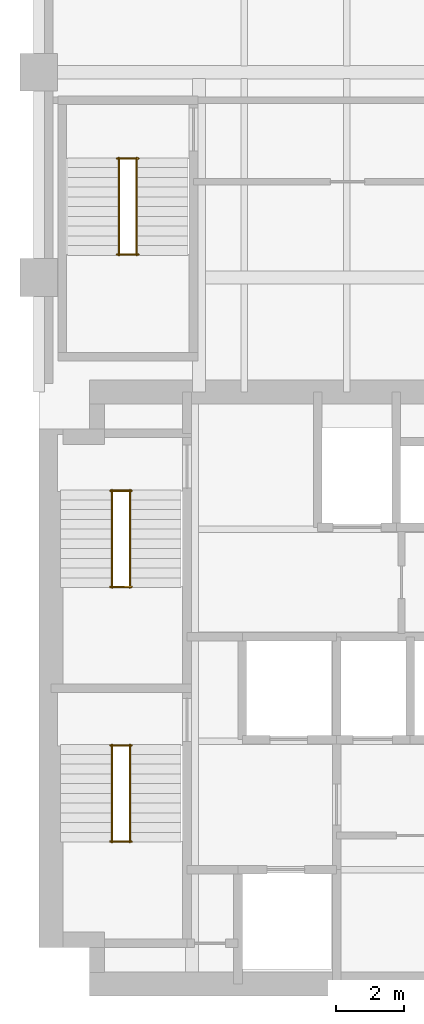
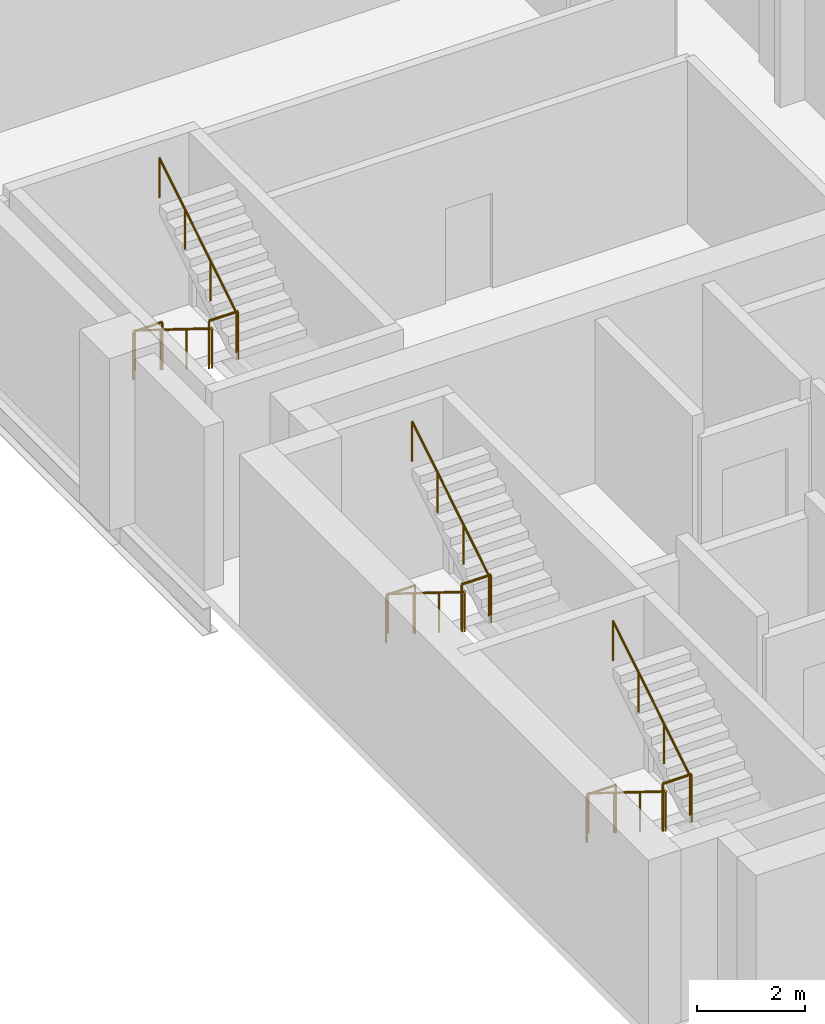
# One storey, part 7 of 7: 12 railings.
"""IFC4 building model written with IfcOpenShell, lengths in metres."""

from ifc_helpers import new_model, si_unit, direction, frame, origin, origin_2d, place, context, subcontext, project, spatial, circle, extrude, material, type_object, element, save


model = new_model("IFC4")

# Units and contexts
model_context = context("Model", 3, precision=1e-05, world=origin(), true_north=direction((0.0, 1.0)))
body_context = subcontext(model_context, "Body", "Model", "MODEL_VIEW")
ifc_project = project(units=[si_unit("LENGTHUNIT", "METRE"), si_unit("AREAUNIT", "SQUARE_METRE"), si_unit("VOLUMEUNIT", "CUBIC_METRE"), si_unit("PLANEANGLEUNIT", "RADIAN"), si_unit("MASSUNIT", "GRAM", prefix="KILO")], contexts=[model_context])

# Site, building, storey
site_placement = place(None, origin())
site = spatial("IfcSite", under=ifc_project, at=site_placement, CompositionType="ELEMENT")
building_placement = place(site_placement, origin())
building = spatial("IfcBuilding", under=site, at=building_placement, Name="Mawjdan Bourse Tower", CompositionType="ELEMENT")
storey_placement = place(building_placement, frame((0.0, 0.0, 112.800048828125)))
storey = spatial("IfcBuildingStorey", under=building, at=storey_placement, Name="L26", CompositionType="ELEMENT", Elevation=112.800048828125)

# Railings
ifc_material_1 = material(Name="Structural Steel S355", Category="steel")
railing_type_1 = type_object("IfcRailingType", Name="RLG-GRD-1100", PredefinedType="GUARDRAIL", material=ifc_material_1)
for number, where, name in (
    (1, (8.090087890625, 7.52001953125, 1.949951171875), "L26 ST1 Landing Guardrail GL-MID"),
    (2, (8.090087890625, 10.330078125, 0.0), "L26 ST1 Landing Guardrail GL-BOT"),
    (3, (8.090087890625, 14.9599609375, 1.949951171875), "L26 ST2 Landing Guardrail GL-MID"),
    (4, (8.090087890625, 17.77001953125, 0.0), "L26 ST2 Landing Guardrail GL-BOT"),
    (5, (8.2900390625, 24.669921875, 1.949951171875), "L26 ST3 Landing Guardrail GL-MID"),
    (6, (8.2900390625, 27.47998046875, 0.0), "L26 ST3 Landing Guardrail GL-BOT"),
):
    element("IfcRailing", number, at=place(storey_placement, frame(where)), inside=storey, type_object=railing_type_1, Name=name, PredefinedType="GUARDRAIL", context=body_context, shape_type="SweptSolid", body=[
        extrude(circle(Radius=0.02490234375, at=origin_2d()), frame((0.0, 0.0, 1.0751953125), z_axis=(1.0, 0.0, 0.0), x_axis=(0.0, 1.0, 0.0)), (0.0, 0.0, 1.0), 0.619873046875),
        extrude(circle(Radius=0.02099609375, at=origin_2d()), origin(), (0.0, 0.0, 1.0), 1.050048828125),
        extrude(circle(Radius=0.02099609375, at=origin_2d()), frame((0.619873046875, 0.0, 0.0)), (0.0, 0.0, 1.0), 1.050048828125),
    ])
ifc_material_2 = material(Name="Brushed Stainless Steel", Category="steel")
railing_type_2 = type_object("IfcRailingType", Name="RLG-HND-920", PredefinedType="HANDRAIL", material=ifc_material_2)
railing_1_placement = place(storey_placement, frame((8.139892578125, 10.35009765625, 0.17724609375)))
element("IfcRailing", 7, at=railing_1_placement, inside=storey, type_object=railing_type_2, Name="L26 ST1 Flight Handrail HR1", PredefinedType="HANDRAIL", context=body_context, shape_type="SweptSolid", body=[
    extrude(circle(Radius=0.0224609375, at=origin_2d()), frame((0.0, 0.0, 0.8974609375), z_axis=(0.0, -0.849148672731, 0.528153890072), x_axis=(1.0, 0.0, 0.0)), (0.0, 0.0, 1.0), 3.3564453125),
    extrude(circle(Radius=0.01904296875, at=origin_2d()), origin(), (0.0, 0.0, 1.0), 0.875),
    extrude(circle(Radius=0.01904296875, at=origin_2d()), frame((0.0, -0.949951171875, 0.5908203125)), (0.0, 0.0, 1.0), 0.875),
    extrude(circle(Radius=0.01904296875, at=origin_2d()), frame((0.0, -1.900146484375, 1.181884765625)), (0.0, 0.0, 1.0), 0.875),
    extrude(circle(Radius=0.01904296875, at=origin_2d()), frame((0.0, -2.85009765625, 1.772705078125)), (0.0, 0.0, 1.0), 0.875),
])
railing_2_placement = place(storey_placement, frame((8.659912109375, 7.5, 2.127197265625)))
element("IfcRailing", 8, at=railing_2_placement, inside=storey, type_object=railing_type_2, Name="L26 ST1 Flight Handrail HR2", PredefinedType="HANDRAIL", context=body_context, shape_type="SweptSolid", body=[
    extrude(circle(Radius=0.0224609375, at=origin_2d()), frame((0.0, 0.0, 0.8974609375), z_axis=(0.0, 0.849148672731, 0.528153890072), x_axis=(-1.0, 0.0, 0.0)), (0.0, 0.0, 1.0), 3.3564453125),
    extrude(circle(Radius=0.01904296875, at=origin_2d()), origin(), (0.0, 0.0, 1.0), 0.875),
    extrude(circle(Radius=0.01904296875, at=origin_2d()), frame((0.0, 0.949951171875, 0.5908203125)), (0.0, 0.0, 1.0), 0.875),
    extrude(circle(Radius=0.01904296875, at=origin_2d()), frame((0.0, 1.900146484375, 1.181884765625)), (0.0, 0.0, 1.0), 0.875),
    extrude(circle(Radius=0.01904296875, at=origin_2d()), frame((0.0, 2.85009765625, 1.772705078125)), (0.0, 0.0, 1.0), 0.875),
])
railing_3_placement = place(storey_placement, frame((8.139892578125, 17.7900390625, 0.17724609375)))
element("IfcRailing", 9, at=railing_3_placement, inside=storey, type_object=railing_type_2, Name="L26 ST2 Flight Handrail HR1", PredefinedType="HANDRAIL", context=body_context, shape_type="SweptSolid", body=[
    extrude(circle(Radius=0.0224609375, at=origin_2d()), frame((0.0, 0.0, 0.8974609375), z_axis=(0.0, -0.849148672731, 0.528153890072), x_axis=(1.0, 0.0, 0.0)), (0.0, 0.0, 1.0), 3.3564453125),
    extrude(circle(Radius=0.01904296875, at=origin_2d()), origin(), (0.0, 0.0, 1.0), 0.875),
    extrude(circle(Radius=0.01904296875, at=origin_2d()), frame((0.0, -0.949951171875, 0.5908203125)), (0.0, 0.0, 1.0), 0.875),
    extrude(circle(Radius=0.01904296875, at=origin_2d()), frame((0.0, -1.900146484375, 1.181884765625)), (0.0, 0.0, 1.0), 0.875),
    extrude(circle(Radius=0.01904296875, at=origin_2d()), frame((0.0, -2.85009765625, 1.772705078125)), (0.0, 0.0, 1.0), 0.875),
])
railing_4_placement = place(storey_placement, frame((8.659912109375, 14.93994140625, 2.127197265625)))
element("IfcRailing", 10, at=railing_4_placement, inside=storey, type_object=railing_type_2, Name="L26 ST2 Flight Handrail HR2", PredefinedType="HANDRAIL", context=body_context, shape_type="SweptSolid", body=[
    extrude(circle(Radius=0.0224609375, at=origin_2d()), frame((0.0, 0.0, 0.8974609375), z_axis=(0.0, 0.849148672731, 0.528153890072), x_axis=(-1.0, 0.0, 0.0)), (0.0, 0.0, 1.0), 3.3564453125),
    extrude(circle(Radius=0.01904296875, at=origin_2d()), origin(), (0.0, 0.0, 1.0), 0.875),
    extrude(circle(Radius=0.01904296875, at=origin_2d()), frame((0.0, 0.949951171875, 0.5908203125)), (0.0, 0.0, 1.0), 0.875),
    extrude(circle(Radius=0.01904296875, at=origin_2d()), frame((0.0, 1.900146484375, 1.181884765625)), (0.0, 0.0, 1.0), 0.875),
    extrude(circle(Radius=0.01904296875, at=origin_2d()), frame((0.0, 2.85009765625, 1.772705078125)), (0.0, 0.0, 1.0), 0.875),
])
railing_5_placement = place(storey_placement, frame((8.340087890625, 27.5, 0.17724609375)))
element("IfcRailing", 11, at=railing_5_placement, inside=storey, type_object=railing_type_2, Name="L26 ST3 Flight Handrail HR1", PredefinedType="HANDRAIL", context=body_context, shape_type="SweptSolid", body=[
    extrude(circle(Radius=0.0224609375, at=origin_2d()), frame((0.0, 0.0, 0.8974609375), z_axis=(0.0, -0.849148672731, 0.528153890072), x_axis=(1.0, 0.0, 0.0)), (0.0, 0.0, 1.0), 3.3564453125),
    extrude(circle(Radius=0.01904296875, at=origin_2d()), origin(), (0.0, 0.0, 1.0), 0.875),
    extrude(circle(Radius=0.01904296875, at=origin_2d()), frame((0.0, -0.949951171875, 0.5908203125)), (0.0, 0.0, 1.0), 0.875),
    extrude(circle(Radius=0.01904296875, at=origin_2d()), frame((0.0, -1.900146484375, 1.181884765625)), (0.0, 0.0, 1.0), 0.875),
    extrude(circle(Radius=0.01904296875, at=origin_2d()), frame((0.0, -2.85009765625, 1.772705078125)), (0.0, 0.0, 1.0), 0.875),
])
railing_6_placement = place(storey_placement, frame((8.860107421875, 24.64990234375, 2.127197265625)))
element("IfcRailing", 12, at=railing_6_placement, inside=storey, type_object=railing_type_2, Name="L26 ST3 Flight Handrail HR2", PredefinedType="HANDRAIL", context=body_context, shape_type="SweptSolid", body=[
    extrude(circle(Radius=0.0224609375, at=origin_2d()), frame((0.0, 0.0, 0.8974609375), z_axis=(0.0, 0.849148672731, 0.528153890072), x_axis=(-1.0, 0.0, 0.0)), (0.0, 0.0, 1.0), 3.3564453125),
    extrude(circle(Radius=0.01904296875, at=origin_2d()), origin(), (0.0, 0.0, 1.0), 0.875),
    extrude(circle(Radius=0.01904296875, at=origin_2d()), frame((0.0, 0.949951171875, 0.5908203125)), (0.0, 0.0, 1.0), 0.875),
    extrude(circle(Radius=0.01904296875, at=origin_2d()), frame((0.0, 1.900146484375, 1.181884765625)), (0.0, 0.0, 1.0), 0.875),
    extrude(circle(Radius=0.01904296875, at=origin_2d()), frame((0.0, 2.85009765625, 1.772705078125)), (0.0, 0.0, 1.0), 0.875),
])

save(model, "model.ifc")
